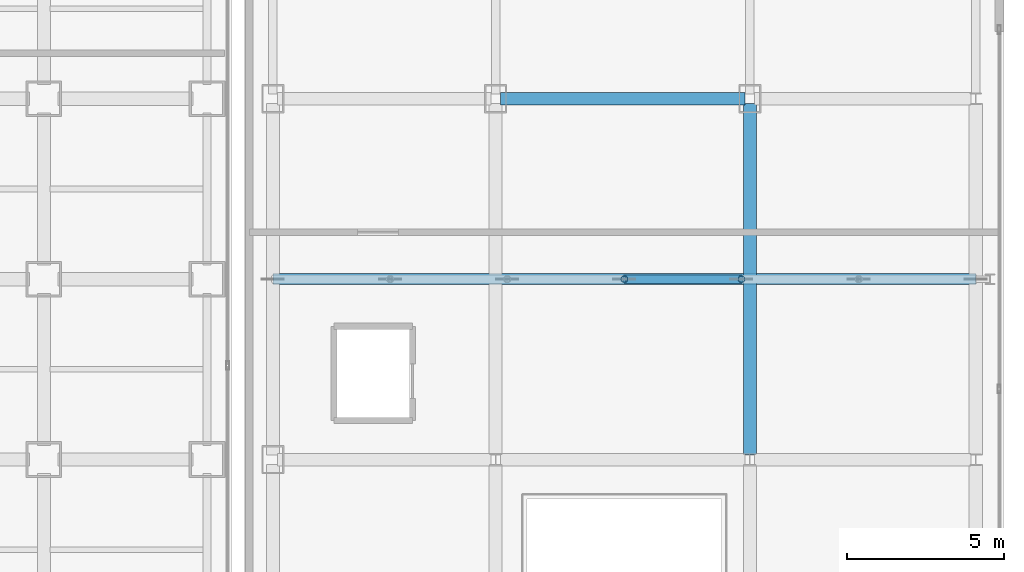
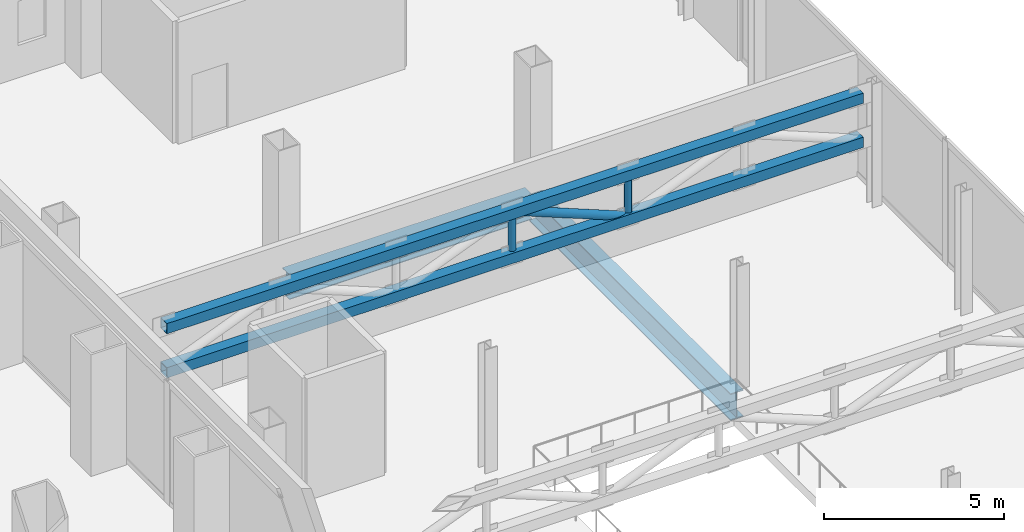
# One storey, part 16 of 28: 5 members, 2 beams.
"""IFC4 building model written with IfcOpenShell, lengths in metres."""

from ifc_helpers import new_model, si_unit, direction, frame, origin, origin_2d, place, context, subcontext, project, spatial, hollow_rectangle, hollow_circle, i_section, extrude, source, transform, mapped, material, material_profile, profile_set, type_object, element, save


model = new_model("IFC4")

# Units and contexts
model_context = context("Model", 3, precision=1e-05, world=origin(), true_north=direction((0.0, 1.0)))
body_context = subcontext(model_context, "Body", "Model", "MODEL_VIEW")
ifc_project = project(units=[si_unit("LENGTHUNIT", "METRE"), si_unit("AREAUNIT", "SQUARE_METRE"), si_unit("VOLUMEUNIT", "CUBIC_METRE"), si_unit("PLANEANGLEUNIT", "RADIAN"), si_unit("MASSUNIT", "GRAM", prefix="KILO")], contexts=[model_context])

# Site, building, storey
site_placement = place(None, origin())
site = spatial("IfcSite", under=ifc_project, at=site_placement, CompositionType="ELEMENT")
building_placement = place(site_placement, origin())
building = spatial("IfcBuilding", under=site, at=building_placement, Name="Kolveth Station Tower", CompositionType="ELEMENT")
storey_placement = place(building_placement, frame((0.0, 0.0, 18.0)))
storey = spatial("IfcBuildingStorey", under=building, at=storey_placement, Name="L04", CompositionType="ELEMENT", Elevation=18.0)

# Beams
ifc_material = material(Name="Steel S355", Category="steel")
ifc_material_profile_1 = material_profile(ifc_material, i_section(OverallWidth=0.40087890625, OverallDepth=0.85107421875, WebThickness=0.01611328125, FlangeThickness=0.025390625, at=origin_2d()), Name="W840x226")
ifc_profile_set_1 = profile_set([ifc_material_profile_1], Name="Steel S355")
beam_type_1 = type_object("IfcBeamType", Name="Beam_B2", PredefinedType="BEAM", material=ifc_profile_set_1)
shared_shape_1 = source(origin(), body_context, "Body", "SweptSolid", [
    extrude(i_section(OverallWidth=0.40087890625, OverallDepth=0.85107421875, WebThickness=0.01611328125, FlangeThickness=0.025390625, at=origin_2d()), origin(), (0.0, 0.0, 1.0), 7.800048828125),
])
beam_1_placement = place(storey_placement, frame((55.550048828125, 28.75, -0.74560546875), z_axis=(1.0, 0.0, 0.0), x_axis=(0.0, 1.0, 0.0)))
element("IfcBeam", 1, at=beam_1_placement, inside=storey, type_object=beam_type_1, Name="L04 Station Portal Girder SBM-L04-EW-5-2", PredefinedType="BEAM", context=body_context, shape_type="MappedRepresentation", body=[
    mapped(shared_shape_1, transform((0.0, 0.0, 0.0), x_axis=(1.0, 0.0, 0.0), y_axis=(0.0, 1.0, 0.0), z_axis=(0.0, 0.0, 1.0), scale=1.0)),
])
ifc_material_profile_2 = material_profile(ifc_material, i_section(OverallWidth=0.41796875, OverallDepth=0.912109375, WebThickness=0.019287109375, FlangeThickness=0.031982421875, at=origin_2d()), Name="W920x342")
ifc_profile_set_2 = profile_set([ifc_material_profile_2], Name="Steel S355")
beam_type_2 = type_object("IfcBeamType", Name="Beam_B1", PredefinedType="BEAM", material=ifc_profile_set_2)
shared_shape_2 = source(origin(), body_context, "Body", "SweptSolid", [
    extrude(i_section(OverallWidth=0.41796875, OverallDepth=0.912109375, WebThickness=0.019287109375, FlangeThickness=0.031982421875, at=origin_2d()), origin(), (0.0, 0.0, 1.0), 11.2001953125),
])
beam_2_placement = place(storey_placement, frame((63.5, 17.39990234375, -0.77587890625), z_axis=(0.0, 1.0, 0.0), x_axis=(-1.0, 0.0, 0.0)))
element("IfcBeam", 2, at=beam_2_placement, inside=storey, type_object=beam_type_2, Name="L04 Station Spine Girder SBM-L04-NS-3-4", PredefinedType="BEAM", context=body_context, shape_type="MappedRepresentation", body=[
    mapped(shared_shape_2, transform((0.0, 0.0, 0.0), x_axis=(1.0, 0.0, 0.0), y_axis=(0.0, 1.0, 0.0), z_axis=(0.0, 0.0, 1.0), scale=1.0)),
])

# Members
ifc_material_profile_3 = material_profile(ifc_material, hollow_rectangle(XDim=0.35009765625, YDim=0.35009765625, WallThickness=0.02001953125, at=origin_2d()), Name="HSS350x350x20")
ifc_profile_set_3 = profile_set([ifc_material_profile_3], Name="Steel S355")
member_type_1 = type_object("IfcMemberType", Name="Mem_CH2", PredefinedType="CHORD", material=ifc_profile_set_3)
shared_shape_3 = source(origin(), body_context, "Body", "SweptSolid", [
    extrude(hollow_rectangle(XDim=0.35009765625, YDim=0.35009765625, WallThickness=0.02001953125, at=origin_2d()), origin(), (0.0, 0.0, 1.0), 22.39990234375),
])
for number, where, z_axis, x_axis, name in (
    (3, (48.300048828125, 23.0, 3.85009765625), (1.0, 0.0, 0.0), (0.0, 1.0, 0.0), "Station Roof Truss 3 Top Chord"),
    (4, (48.300048828125, 23.0, 2.35009765625), (1.0, 0.0, 0.0), (0.0, 1.0, 0.0), "Station Roof Truss 3 Bottom Chord"),
):
    element("IfcMember", number, at=place(storey_placement, frame(where, z_axis=z_axis, x_axis=x_axis)), inside=storey, type_object=member_type_1, Name=name, PredefinedType="CHORD", context=body_context, shape_type="MappedRepresentation", body=[
        mapped(shared_shape_3, transform((0.0, 0.0, 0.0), x_axis=(1.0, 0.0, 0.0), y_axis=(0.0, 1.0, 0.0), z_axis=(0.0, 0.0, 1.0), scale=1.0)),
    ])
ifc_material_profile_4 = material_profile(ifc_material, hollow_circle(Radius=0.136474609375, WallThickness=0.012451171875, at=origin_2d()), Name="CHS273x12.5")
ifc_profile_set_4 = profile_set([ifc_material_profile_4], Name="Steel S355")
member_type_2 = type_object("IfcMemberType", Name="Mem_BR5", PredefinedType="BRACE", material=ifc_profile_set_4)
shared_shape_4 = source(origin(), body_context, "Body", "SweptSolid", [
    extrude(hollow_circle(Radius=0.136474609375, WallThickness=0.012451171875, at=origin_2d()), origin(), (0.0, 0.0, 1.0), 4.0234375),
])
member_placement = place(storey_placement, frame((59.5, 23.0, 3.85009765625), z_axis=(0.927906471561, 0.0, -0.372813063123), x_axis=(0.0, 1.0, 0.0)))
element("IfcMember", 5, at=member_placement, inside=storey, type_object=member_type_2, Name="Station Roof Truss 3 Diagonal 4", PredefinedType="BRACE", context=body_context, shape_type="MappedRepresentation", body=[
    mapped(shared_shape_4, transform((0.0, 0.0, 0.0), x_axis=(1.0, 0.0, 0.0), y_axis=(0.0, 1.0, 0.0), z_axis=(0.0, 0.0, 1.0), scale=1.0)),
])
ifc_material_profile_5 = material_profile(ifc_material, hollow_circle(Radius=0.109619140625, WallThickness=0.010009765625, at=origin_2d()), Name="CHS219x10")
ifc_profile_set_5 = profile_set([ifc_material_profile_5], Name="Steel S355")
member_type_3 = type_object("IfcMemberType", Name="Mem_ST-R1", PredefinedType="STRUT", material=ifc_profile_set_5)
shared_shape_5 = source(origin(), body_context, "Body", "SweptSolid", [
    extrude(hollow_circle(Radius=0.109619140625, WallThickness=0.010009765625, at=origin_2d()), origin(), (0.0, 0.0, 1.0), 1.5),
])
for number, where, z_axis, x_axis, name in (
    (6, (59.5, 23.0, 2.35009765625), (0.0, 0.0, 1.0), (1.0, 0.0, 0.0), "Station Roof Truss 3 Strut 3"),
    (7, (63.2333984375, 23.0, 2.35009765625), (0.0, 0.0, 1.0), (1.0, 0.0, 0.0), "Station Roof Truss 3 Strut 4"),
):
    element("IfcMember", number, at=place(storey_placement, frame(where, z_axis=z_axis, x_axis=x_axis)), inside=storey, type_object=member_type_3, Name=name, PredefinedType="STRUT", context=body_context, shape_type="MappedRepresentation", body=[
        mapped(shared_shape_5, transform((0.0, 0.0, 0.0), x_axis=(1.0, 0.0, 0.0), y_axis=(0.0, 1.0, 0.0), z_axis=(0.0, 0.0, 1.0), scale=1.0)),
    ])

save(model, "model.ifc")
